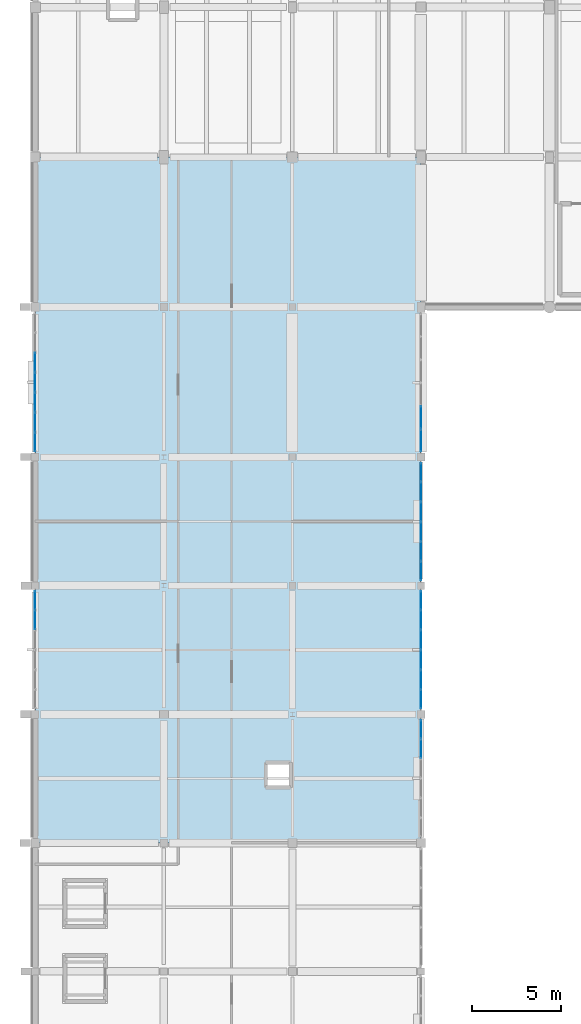
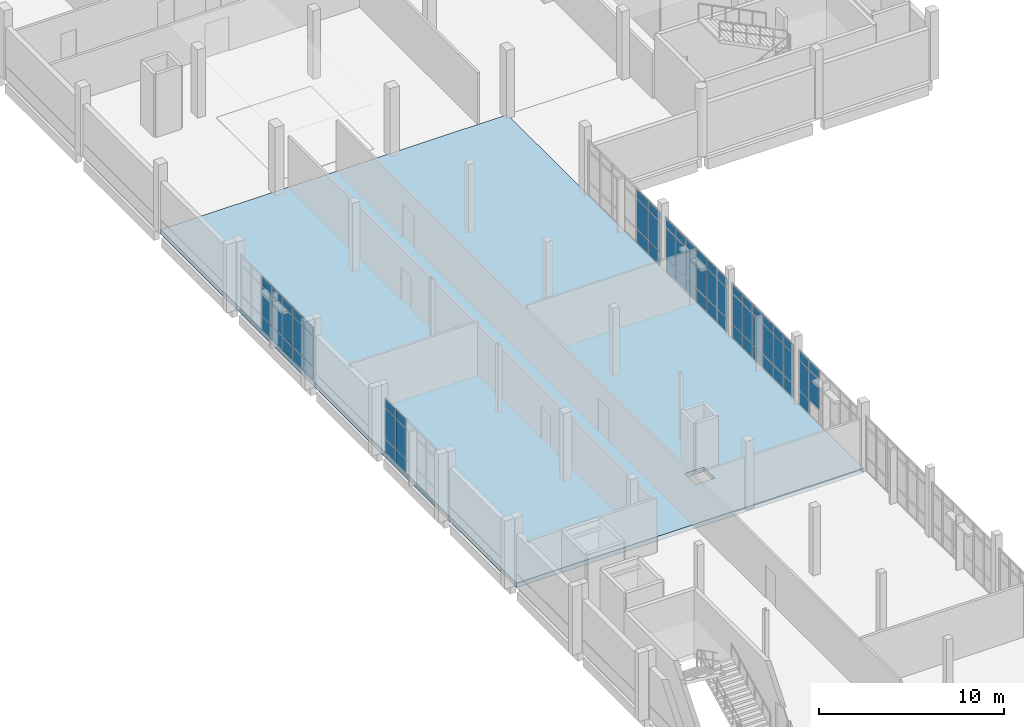
# One storey, part 47 of 62: 68 plates, 1 slab, 6 elements without a shape of their own.
"""IFC4 building model written with IfcOpenShell, lengths in metres."""

from ifc_helpers import new_model, si_unit, direction, frame, origin, origin_2d, place, context, subcontext, project, spatial, polyline, rectangle, outline, extrude, material, layer, layer_set, type_object, element, aggregate, save


model = new_model("IFC4")

# Units and contexts
model_context = context("Model", 3, precision=1e-05, world=origin(), true_north=direction((0.0, 1.0)))
body_context = subcontext(model_context, "Body", "Model", "MODEL_VIEW")
ifc_project = project(units=[si_unit("LENGTHUNIT", "METRE"), si_unit("AREAUNIT", "SQUARE_METRE"), si_unit("VOLUMEUNIT", "CUBIC_METRE"), si_unit("PLANEANGLEUNIT", "RADIAN"), si_unit("MASSUNIT", "GRAM", prefix="KILO")], contexts=[model_context])

# Site, building, storey
site_placement = place(None, origin())
site = spatial("IfcSite", under=ifc_project, at=site_placement, CompositionType="ELEMENT")
building_placement = place(site_placement, origin())
building = spatial("IfcBuilding", under=site, at=building_placement, Name="Kalluvel Institute of Natural Sciences", CompositionType="ELEMENT")
storey_placement = place(building_placement, frame((0.0, 0.0, 27.89990234375)))
storey = spatial("IfcBuildingStorey", under=building, at=storey_placement, Name="L06", CompositionType="ELEMENT", Elevation=27.89990234375)

# Curtain wall, plates
ifc_material_1 = material(Name="Aluminium AW-6063 T6", Category="aluminium")
curtain_wall_type = type_object("IfcCurtainWallType", Name="CW-DRY-45", PredefinedType="USERDEFINED", material=ifc_material_1)
curtain_wall_1_placement = place(storey_placement, origin())
curtain_wall_1 = element("IfcCurtainWall", 1, at=curtain_wall_1_placement, inside=storey, type_object=curtain_wall_type, Name="L06 Gothic lancet curtain wall CWA-L06-X140-Y719", ObjectType="UNITISED LANCET FACADE", PredefinedType="USERDEFINED")
ifc_material_2 = material(Name="Solar-Control Low-E Laminated Glass", Category="glass")
ifc_layer_1 = layer(ifc_material_2, 0.028076171875)
ifc_layer_set_1 = layer_set([ifc_layer_1], Name="Solar-Control Low-E Laminated Glass")
plate_type = type_object("IfcPlateType", Name="CWP-DGU-28", PredefinedType="CURTAIN_PANEL", material=ifc_layer_set_1)
plate_1_placement = place(storey_placement, frame((14.0, 76.88134765625, 0.06005859375), z_axis=(0.0, 0.0, 1.0), x_axis=(0.0, 1.0, 0.0)))
plate_1 = element("IfcPlate", 2, at=plate_1_placement, type_object=plate_type, Name="CW-03 panel 5.1", PredefinedType="CURTAIN_PANEL", context=body_context, shape_type="SweptSolid", body=[
    extrude(rectangle(XDim=1.052490234375, YDim=0.028076171875, at=origin_2d()), origin(), (0.0, 0.0, 1.0), 0.860107421875),
])
plate_2_placement = place(storey_placement, frame((14.0, 76.88134765625, 0.980224609375), z_axis=(0.0, 0.0, 1.0), x_axis=(0.0, 1.0, 0.0)))
plate_2 = element("IfcPlate", 3, at=plate_2_placement, type_object=plate_type, Name="CW-03 panel 5.2", PredefinedType="CURTAIN_PANEL", context=body_context, shape_type="SweptSolid", body=[
    extrude(rectangle(XDim=1.052490234375, YDim=0.028076171875, at=origin_2d()), origin(), (0.0, 0.0, 1.0), 1.9599609375),
])
plate_3_placement = place(storey_placement, frame((14.0, 76.88134765625, 3.0), z_axis=(0.0, 0.0, 1.0), x_axis=(0.0, 1.0, 0.0)))
plate_3 = element("IfcPlate", 4, at=plate_3_placement, type_object=plate_type, Name="CW-03 panel 5.3", PredefinedType="CURTAIN_PANEL", context=body_context, shape_type="SweptSolid", body=[
    extrude(rectangle(XDim=1.052490234375, YDim=0.028076171875, at=origin_2d()), origin(), (0.0, 0.0, 1.0), 0.56005859375),
])
plate_4_placement = place(storey_placement, frame((14.0, 77.978759765625, 0.06005859375), z_axis=(0.0, 0.0, 1.0), x_axis=(0.0, 1.0, 0.0)))
plate_4 = element("IfcPlate", 5, at=plate_4_placement, type_object=plate_type, Name="CW-03 panel 6.1", PredefinedType="CURTAIN_PANEL", context=body_context, shape_type="SweptSolid", body=[
    extrude(rectangle(XDim=1.0224609375, YDim=0.028076171875, at=origin_2d()), origin(), (0.0, 0.0, 1.0), 0.860107421875),
])
plate_5_placement = place(storey_placement, frame((14.0, 77.978759765625, 0.980224609375), z_axis=(0.0, 0.0, 1.0), x_axis=(0.0, 1.0, 0.0)))
plate_5 = element("IfcPlate", 6, at=plate_5_placement, type_object=plate_type, Name="CW-03 panel 6.2", PredefinedType="CURTAIN_PANEL", context=body_context, shape_type="SweptSolid", body=[
    extrude(rectangle(XDim=1.0224609375, YDim=0.028076171875, at=origin_2d()), origin(), (0.0, 0.0, 1.0), 1.9599609375),
])
plate_6_placement = place(storey_placement, frame((14.0, 77.978759765625, 3.0), z_axis=(0.0, 0.0, 1.0), x_axis=(0.0, 1.0, 0.0)))
plate_6 = element("IfcPlate", 7, at=plate_6_placement, type_object=plate_type, Name="CW-03 panel 6.3", PredefinedType="CURTAIN_PANEL", context=body_context, shape_type="SweptSolid", body=[
    extrude(rectangle(XDim=1.0224609375, YDim=0.028076171875, at=origin_2d()), origin(), (0.0, 0.0, 1.0), 0.56005859375),
])
aggregate(curtain_wall_1, [plate_1, plate_2, plate_3, plate_4, plate_5, plate_6])

curtain_wall_2_placement = place(storey_placement, origin())
curtain_wall_2 = element("IfcCurtainWall", 8, at=curtain_wall_2_placement, inside=storey, type_object=curtain_wall_type, Name="L06 Gothic lancet curtain wall CWA-L06-X140-Y863", ObjectType="UNITISED LANCET FACADE", PredefinedType="USERDEFINED")
plate_7_placement = place(storey_placement, frame((14.0, 86.848876953125, 0.06005859375), z_axis=(0.0, 0.0, 1.0), x_axis=(0.0, 1.0, 0.0)))
plate_7 = element("IfcPlate", 9, at=plate_7_placement, type_object=plate_type, Name="CW-03 panel 1.1", PredefinedType="CURTAIN_PANEL", context=body_context, shape_type="SweptSolid", body=[
    extrude(rectangle(XDim=1.02783203125, YDim=0.028076171875, at=origin_2d()), origin(), (0.0, 0.0, 1.0), 0.860107421875),
])
plate_8_placement = place(storey_placement, frame((14.0, 86.848876953125, 0.980224609375), z_axis=(0.0, 0.0, 1.0), x_axis=(0.0, 1.0, 0.0)))
plate_8 = element("IfcPlate", 10, at=plate_8_placement, type_object=plate_type, Name="CW-03 panel 1.2", PredefinedType="CURTAIN_PANEL", context=body_context, shape_type="SweptSolid", body=[
    extrude(rectangle(XDim=1.02783203125, YDim=0.028076171875, at=origin_2d()), origin(), (0.0, 0.0, 1.0), 1.9599609375),
])
plate_9_placement = place(storey_placement, frame((14.0, 86.848876953125, 3.0), z_axis=(0.0, 0.0, 1.0), x_axis=(0.0, 1.0, 0.0)))
plate_9 = element("IfcPlate", 11, at=plate_9_placement, type_object=plate_type, Name="CW-03 panel 1.3", PredefinedType="CURTAIN_PANEL", context=body_context, shape_type="SweptSolid", body=[
    extrude(rectangle(XDim=1.02783203125, YDim=0.028076171875, at=origin_2d()), origin(), (0.0, 0.0, 1.0), 0.56005859375),
])
plate_10_placement = place(storey_placement, frame((14.0, 87.951904296875, 0.06005859375), z_axis=(0.0, 0.0, 1.0), x_axis=(0.0, 1.0, 0.0)))
plate_10 = element("IfcPlate", 12, at=plate_10_placement, type_object=plate_type, Name="CW-03 panel 2.1", PredefinedType="CURTAIN_PANEL", context=body_context, shape_type="SweptSolid", body=[
    extrude(rectangle(XDim=1.057861328125, YDim=0.028076171875, at=origin_2d()), origin(), (0.0, 0.0, 1.0), 0.860107421875),
])
plate_11_placement = place(storey_placement, frame((14.0, 87.951904296875, 0.980224609375), z_axis=(0.0, 0.0, 1.0), x_axis=(0.0, 1.0, 0.0)))
plate_11 = element("IfcPlate", 13, at=plate_11_placement, type_object=plate_type, Name="CW-03 panel 2.2", PredefinedType="CURTAIN_PANEL", context=body_context, shape_type="SweptSolid", body=[
    extrude(rectangle(XDim=1.057861328125, YDim=0.028076171875, at=origin_2d()), origin(), (0.0, 0.0, 1.0), 1.9599609375),
])
plate_12_placement = place(storey_placement, frame((14.0, 87.951904296875, 3.0), z_axis=(0.0, 0.0, 1.0), x_axis=(0.0, 1.0, 0.0)))
plate_12 = element("IfcPlate", 14, at=plate_12_placement, type_object=plate_type, Name="CW-03 panel 2.3", PredefinedType="CURTAIN_PANEL", context=body_context, shape_type="SweptSolid", body=[
    extrude(rectangle(XDim=1.057861328125, YDim=0.028076171875, at=origin_2d()), origin(), (0.0, 0.0, 1.0), 0.56005859375),
])
plate_13_placement = place(storey_placement, frame((14.0, 89.069580078125, 0.06005859375), z_axis=(0.0, 0.0, 1.0), x_axis=(0.0, 1.0, 0.0)))
plate_13 = element("IfcPlate", 15, at=plate_13_placement, type_object=plate_type, Name="CW-03 panel 3.1", PredefinedType="CURTAIN_PANEL", context=body_context, shape_type="SweptSolid", body=[
    extrude(rectangle(XDim=1.057861328125, YDim=0.028076171875, at=origin_2d()), origin(), (0.0, 0.0, 1.0), 0.860107421875),
])
plate_14_placement = place(storey_placement, frame((14.0, 89.069580078125, 0.980224609375), z_axis=(0.0, 0.0, 1.0), x_axis=(0.0, 1.0, 0.0)))
plate_14 = element("IfcPlate", 16, at=plate_14_placement, type_object=plate_type, Name="CW-03 panel 3.2", PredefinedType="CURTAIN_PANEL", context=body_context, shape_type="SweptSolid", body=[
    extrude(rectangle(XDim=1.057861328125, YDim=0.028076171875, at=origin_2d()), origin(), (0.0, 0.0, 1.0), 1.9599609375),
])
plate_15_placement = place(storey_placement, frame((14.0, 89.069580078125, 3.0), z_axis=(0.0, 0.0, 1.0), x_axis=(0.0, 1.0, 0.0)))
plate_15 = element("IfcPlate", 17, at=plate_15_placement, type_object=plate_type, Name="CW-03 panel 3.3", PredefinedType="CURTAIN_PANEL", context=body_context, shape_type="SweptSolid", body=[
    extrude(rectangle(XDim=1.057861328125, YDim=0.028076171875, at=origin_2d()), origin(), (0.0, 0.0, 1.0), 0.56005859375),
])
plate_16_placement = place(storey_placement, frame((14.0, 90.1875, 0.06005859375), z_axis=(0.0, 0.0, 1.0), x_axis=(0.0, 1.0, 0.0)))
plate_16 = element("IfcPlate", 18, at=plate_16_placement, type_object=plate_type, Name="CW-03 panel 4.1", PredefinedType="CURTAIN_PANEL", context=body_context, shape_type="SweptSolid", body=[
    extrude(rectangle(XDim=1.057861328125, YDim=0.028076171875, at=origin_2d()), origin(), (0.0, 0.0, 1.0), 0.860107421875),
])
plate_17_placement = place(storey_placement, frame((14.0, 90.1875, 0.980224609375), z_axis=(0.0, 0.0, 1.0), x_axis=(0.0, 1.0, 0.0)))
plate_17 = element("IfcPlate", 19, at=plate_17_placement, type_object=plate_type, Name="CW-03 panel 4.2", PredefinedType="CURTAIN_PANEL", context=body_context, shape_type="SweptSolid", body=[
    extrude(rectangle(XDim=1.057861328125, YDim=0.028076171875, at=origin_2d()), origin(), (0.0, 0.0, 1.0), 1.9599609375),
])
plate_18_placement = place(storey_placement, frame((14.0, 90.1875, 3.0), z_axis=(0.0, 0.0, 1.0), x_axis=(0.0, 1.0, 0.0)))
plate_18 = element("IfcPlate", 20, at=plate_18_placement, type_object=plate_type, Name="CW-03 panel 4.3", PredefinedType="CURTAIN_PANEL", context=body_context, shape_type="SweptSolid", body=[
    extrude(rectangle(XDim=1.057861328125, YDim=0.028076171875, at=origin_2d()), origin(), (0.0, 0.0, 1.0), 0.56005859375),
])
plate_19_placement = place(storey_placement, frame((14.0, 91.305419921875, 0.06005859375), z_axis=(0.0, 0.0, 1.0), x_axis=(0.0, 1.0, 0.0)))
plate_19 = element("IfcPlate", 21, at=plate_19_placement, type_object=plate_type, Name="CW-03 panel 5.1", PredefinedType="CURTAIN_PANEL", context=body_context, shape_type="SweptSolid", body=[
    extrude(rectangle(XDim=1.057861328125, YDim=0.028076171875, at=origin_2d()), origin(), (0.0, 0.0, 1.0), 0.860107421875),
])
plate_20_placement = place(storey_placement, frame((14.0, 91.305419921875, 0.980224609375), z_axis=(0.0, 0.0, 1.0), x_axis=(0.0, 1.0, 0.0)))
plate_20 = element("IfcPlate", 22, at=plate_20_placement, type_object=plate_type, Name="CW-03 panel 5.2", PredefinedType="CURTAIN_PANEL", context=body_context, shape_type="SweptSolid", body=[
    extrude(rectangle(XDim=1.057861328125, YDim=0.028076171875, at=origin_2d()), origin(), (0.0, 0.0, 1.0), 1.9599609375),
])
plate_21_placement = place(storey_placement, frame((14.0, 91.305419921875, 3.0), z_axis=(0.0, 0.0, 1.0), x_axis=(0.0, 1.0, 0.0)))
plate_21 = element("IfcPlate", 23, at=plate_21_placement, type_object=plate_type, Name="CW-03 panel 5.3", PredefinedType="CURTAIN_PANEL", context=body_context, shape_type="SweptSolid", body=[
    extrude(rectangle(XDim=1.057861328125, YDim=0.028076171875, at=origin_2d()), origin(), (0.0, 0.0, 1.0), 0.56005859375),
])
aggregate(curtain_wall_2, [plate_7, plate_8, plate_9, plate_10, plate_11, plate_12, plate_13, plate_14, plate_15, plate_16, plate_17, plate_18, plate_19, plate_20, plate_21])

curtain_wall_3_placement = place(storey_placement, origin())
curtain_wall_3 = element("IfcCurtainWall", 24, at=curtain_wall_3_placement, inside=storey, type_object=curtain_wall_type, Name="L06 Gothic lancet curtain wall CWA-L06-X356-Y647", ObjectType="UNITISED LANCET FACADE", PredefinedType="USERDEFINED")
plate_22_placement = place(storey_placement, frame((35.60009765625, 69.668701171875, 0.980224609375), z_axis=(0.0, 0.0, 1.0), x_axis=(0.0, 1.0, 0.0)))
plate_22 = element("IfcPlate", 25, at=plate_22_placement, type_object=plate_type, Name="CW-03 panel 5.2", PredefinedType="CURTAIN_PANEL", context=body_context, shape_type="SweptSolid", body=[
    extrude(rectangle(XDim=1.044189453125, YDim=0.028076171875, at=origin_2d()), origin(), (0.0, 0.0, 1.0), 1.9599609375),
])
plate_23_placement = place(storey_placement, frame((35.60009765625, 69.668701171875, 3.0), z_axis=(0.0, 0.0, 1.0), x_axis=(0.0, 1.0, 0.0)))
plate_23 = element("IfcPlate", 26, at=plate_23_placement, type_object=plate_type, Name="CW-03 panel 5.3", PredefinedType="CURTAIN_PANEL", context=body_context, shape_type="SweptSolid", body=[
    extrude(rectangle(XDim=1.044189453125, YDim=0.028076171875, at=origin_2d()), origin(), (0.0, 0.0, 1.0), 0.56005859375),
])
plate_24_placement = place(storey_placement, frame((35.60009765625, 70.7578125, 0.06005859375), z_axis=(0.0, 0.0, 1.0), x_axis=(0.0, 1.0, 0.0)))
plate_24 = element("IfcPlate", 27, at=plate_24_placement, type_object=plate_type, Name="CW-03 panel 6.1", PredefinedType="CURTAIN_PANEL", context=body_context, shape_type="SweptSolid", body=[
    extrude(rectangle(XDim=1.01416015625, YDim=0.028076171875, at=origin_2d()), origin(), (0.0, 0.0, 1.0), 0.860107421875),
])
plate_25_placement = place(storey_placement, frame((35.60009765625, 70.7578125, 0.980224609375), z_axis=(0.0, 0.0, 1.0), x_axis=(0.0, 1.0, 0.0)))
plate_25 = element("IfcPlate", 28, at=plate_25_placement, type_object=plate_type, Name="CW-03 panel 6.2", PredefinedType="CURTAIN_PANEL", context=body_context, shape_type="SweptSolid", body=[
    extrude(rectangle(XDim=1.01416015625, YDim=0.028076171875, at=origin_2d()), origin(), (0.0, 0.0, 1.0), 1.9599609375),
])
plate_26_placement = place(storey_placement, frame((35.60009765625, 70.7578125, 3.0), z_axis=(0.0, 0.0, 1.0), x_axis=(0.0, 1.0, 0.0)))
plate_26 = element("IfcPlate", 29, at=plate_26_placement, type_object=plate_type, Name="CW-03 panel 6.3", PredefinedType="CURTAIN_PANEL", context=body_context, shape_type="SweptSolid", body=[
    extrude(rectangle(XDim=1.01416015625, YDim=0.028076171875, at=origin_2d()), origin(), (0.0, 0.0, 1.0), 0.56005859375),
])
aggregate(curtain_wall_3, [plate_22, plate_23, plate_24, plate_25, plate_26])

curtain_wall_4_placement = place(storey_placement, origin())
curtain_wall_4 = element("IfcCurtainWall", 30, at=curtain_wall_4_placement, inside=storey, type_object=curtain_wall_type, Name="L06 Gothic lancet curtain wall CWA-L06-X356-Y719", ObjectType="UNITISED LANCET FACADE", PredefinedType="USERDEFINED")
plate_27_placement = place(storey_placement, frame((35.60009765625, 72.4462890625, 0.06005859375), z_axis=(0.0, 0.0, 1.0), x_axis=(0.0, 1.0, 0.0)))
plate_27 = element("IfcPlate", 31, at=plate_27_placement, type_object=plate_type, Name="CW-03 panel 1.1", PredefinedType="CURTAIN_PANEL", context=body_context, shape_type="SweptSolid", body=[
    extrude(rectangle(XDim=1.0224609375, YDim=0.028076171875, at=origin_2d()), origin(), (0.0, 0.0, 1.0), 0.860107421875),
])
plate_28_placement = place(storey_placement, frame((35.60009765625, 72.4462890625, 0.980224609375), z_axis=(0.0, 0.0, 1.0), x_axis=(0.0, 1.0, 0.0)))
plate_28 = element("IfcPlate", 32, at=plate_28_placement, type_object=plate_type, Name="CW-03 panel 1.2", PredefinedType="CURTAIN_PANEL", context=body_context, shape_type="SweptSolid", body=[
    extrude(rectangle(XDim=1.0224609375, YDim=0.028076171875, at=origin_2d()), origin(), (0.0, 0.0, 1.0), 1.9599609375),
])
plate_29_placement = place(storey_placement, frame((35.60009765625, 72.4462890625, 3.0), z_axis=(0.0, 0.0, 1.0), x_axis=(0.0, 1.0, 0.0)))
plate_29 = element("IfcPlate", 33, at=plate_29_placement, type_object=plate_type, Name="CW-03 panel 1.3", PredefinedType="CURTAIN_PANEL", context=body_context, shape_type="SweptSolid", body=[
    extrude(rectangle(XDim=1.0224609375, YDim=0.028076171875, at=origin_2d()), origin(), (0.0, 0.0, 1.0), 0.56005859375),
])
plate_30_placement = place(storey_placement, frame((35.60009765625, 73.543701171875, 0.06005859375), z_axis=(0.0, 0.0, 1.0), x_axis=(0.0, 1.0, 0.0)))
plate_30 = element("IfcPlate", 34, at=plate_30_placement, type_object=plate_type, Name="CW-03 panel 2.1", PredefinedType="CURTAIN_PANEL", context=body_context, shape_type="SweptSolid", body=[
    extrude(rectangle(XDim=1.052490234375, YDim=0.028076171875, at=origin_2d()), origin(), (0.0, 0.0, 1.0), 0.860107421875),
])
plate_31_placement = place(storey_placement, frame((35.60009765625, 73.543701171875, 0.980224609375), z_axis=(0.0, 0.0, 1.0), x_axis=(0.0, 1.0, 0.0)))
plate_31 = element("IfcPlate", 35, at=plate_31_placement, type_object=plate_type, Name="CW-03 panel 2.2", PredefinedType="CURTAIN_PANEL", context=body_context, shape_type="SweptSolid", body=[
    extrude(rectangle(XDim=1.052490234375, YDim=0.028076171875, at=origin_2d()), origin(), (0.0, 0.0, 1.0), 1.9599609375),
])
plate_32_placement = place(storey_placement, frame((35.60009765625, 73.543701171875, 3.0), z_axis=(0.0, 0.0, 1.0), x_axis=(0.0, 1.0, 0.0)))
plate_32 = element("IfcPlate", 36, at=plate_32_placement, type_object=plate_type, Name="CW-03 panel 2.3", PredefinedType="CURTAIN_PANEL", context=body_context, shape_type="SweptSolid", body=[
    extrude(rectangle(XDim=1.052490234375, YDim=0.028076171875, at=origin_2d()), origin(), (0.0, 0.0, 1.0), 0.56005859375),
])
plate_33_placement = place(storey_placement, frame((35.60009765625, 74.65625, 0.06005859375), z_axis=(0.0, 0.0, 1.0), x_axis=(0.0, 1.0, 0.0)))
plate_33 = element("IfcPlate", 37, at=plate_33_placement, type_object=plate_type, Name="CW-03 panel 3.1", PredefinedType="CURTAIN_PANEL", context=body_context, shape_type="SweptSolid", body=[
    extrude(rectangle(XDim=1.052490234375, YDim=0.028076171875, at=origin_2d()), origin(), (0.0, 0.0, 1.0), 0.860107421875),
])
plate_34_placement = place(storey_placement, frame((35.60009765625, 74.65625, 0.980224609375), z_axis=(0.0, 0.0, 1.0), x_axis=(0.0, 1.0, 0.0)))
plate_34 = element("IfcPlate", 38, at=plate_34_placement, type_object=plate_type, Name="CW-03 panel 3.2", PredefinedType="CURTAIN_PANEL", context=body_context, shape_type="SweptSolid", body=[
    extrude(rectangle(XDim=1.052490234375, YDim=0.028076171875, at=origin_2d()), origin(), (0.0, 0.0, 1.0), 1.9599609375),
])
plate_35_placement = place(storey_placement, frame((35.60009765625, 74.65625, 3.0), z_axis=(0.0, 0.0, 1.0), x_axis=(0.0, 1.0, 0.0)))
plate_35 = element("IfcPlate", 39, at=plate_35_placement, type_object=plate_type, Name="CW-03 panel 3.3", PredefinedType="CURTAIN_PANEL", context=body_context, shape_type="SweptSolid", body=[
    extrude(rectangle(XDim=1.052490234375, YDim=0.028076171875, at=origin_2d()), origin(), (0.0, 0.0, 1.0), 0.56005859375),
])
plate_36_placement = place(storey_placement, frame((35.60009765625, 75.768798828125, 0.06005859375), z_axis=(0.0, 0.0, 1.0), x_axis=(0.0, 1.0, 0.0)))
plate_36 = element("IfcPlate", 40, at=plate_36_placement, type_object=plate_type, Name="CW-03 panel 4.1", PredefinedType="CURTAIN_PANEL", context=body_context, shape_type="SweptSolid", body=[
    extrude(rectangle(XDim=1.052490234375, YDim=0.028076171875, at=origin_2d()), origin(), (0.0, 0.0, 1.0), 0.860107421875),
])
plate_37_placement = place(storey_placement, frame((35.60009765625, 75.768798828125, 0.980224609375), z_axis=(0.0, 0.0, 1.0), x_axis=(0.0, 1.0, 0.0)))
plate_37 = element("IfcPlate", 41, at=plate_37_placement, type_object=plate_type, Name="CW-03 panel 4.2", PredefinedType="CURTAIN_PANEL", context=body_context, shape_type="SweptSolid", body=[
    extrude(rectangle(XDim=1.052490234375, YDim=0.028076171875, at=origin_2d()), origin(), (0.0, 0.0, 1.0), 1.9599609375),
])
plate_38_placement = place(storey_placement, frame((35.60009765625, 75.768798828125, 3.0), z_axis=(0.0, 0.0, 1.0), x_axis=(0.0, 1.0, 0.0)))
plate_38 = element("IfcPlate", 42, at=plate_38_placement, type_object=plate_type, Name="CW-03 panel 4.3", PredefinedType="CURTAIN_PANEL", context=body_context, shape_type="SweptSolid", body=[
    extrude(rectangle(XDim=1.052490234375, YDim=0.028076171875, at=origin_2d()), origin(), (0.0, 0.0, 1.0), 0.56005859375),
])
plate_39_placement = place(storey_placement, frame((35.60009765625, 76.88134765625, 0.06005859375), z_axis=(0.0, 0.0, 1.0), x_axis=(0.0, 1.0, 0.0)))
plate_39 = element("IfcPlate", 43, at=plate_39_placement, type_object=plate_type, Name="CW-03 panel 5.1", PredefinedType="CURTAIN_PANEL", context=body_context, shape_type="SweptSolid", body=[
    extrude(rectangle(XDim=1.052490234375, YDim=0.028076171875, at=origin_2d()), origin(), (0.0, 0.0, 1.0), 0.860107421875),
])
plate_40_placement = place(storey_placement, frame((35.60009765625, 76.88134765625, 0.980224609375), z_axis=(0.0, 0.0, 1.0), x_axis=(0.0, 1.0, 0.0)))
plate_40 = element("IfcPlate", 44, at=plate_40_placement, type_object=plate_type, Name="CW-03 panel 5.2", PredefinedType="CURTAIN_PANEL", context=body_context, shape_type="SweptSolid", body=[
    extrude(rectangle(XDim=1.052490234375, YDim=0.028076171875, at=origin_2d()), origin(), (0.0, 0.0, 1.0), 1.9599609375),
])
plate_41_placement = place(storey_placement, frame((35.60009765625, 76.88134765625, 3.0), z_axis=(0.0, 0.0, 1.0), x_axis=(0.0, 1.0, 0.0)))
plate_41 = element("IfcPlate", 45, at=plate_41_placement, type_object=plate_type, Name="CW-03 panel 5.3", PredefinedType="CURTAIN_PANEL", context=body_context, shape_type="SweptSolid", body=[
    extrude(rectangle(XDim=1.052490234375, YDim=0.028076171875, at=origin_2d()), origin(), (0.0, 0.0, 1.0), 0.56005859375),
])
plate_42_placement = place(storey_placement, frame((35.60009765625, 77.978759765625, 0.06005859375), z_axis=(0.0, 0.0, 1.0), x_axis=(0.0, 1.0, 0.0)))
plate_42 = element("IfcPlate", 46, at=plate_42_placement, type_object=plate_type, Name="CW-03 panel 6.1", PredefinedType="CURTAIN_PANEL", context=body_context, shape_type="SweptSolid", body=[
    extrude(rectangle(XDim=1.0224609375, YDim=0.028076171875, at=origin_2d()), origin(), (0.0, 0.0, 1.0), 0.860107421875),
])
plate_43_placement = place(storey_placement, frame((35.60009765625, 77.978759765625, 0.980224609375), z_axis=(0.0, 0.0, 1.0), x_axis=(0.0, 1.0, 0.0)))
plate_43 = element("IfcPlate", 47, at=plate_43_placement, type_object=plate_type, Name="CW-03 panel 6.2", PredefinedType="CURTAIN_PANEL", context=body_context, shape_type="SweptSolid", body=[
    extrude(rectangle(XDim=1.0224609375, YDim=0.028076171875, at=origin_2d()), origin(), (0.0, 0.0, 1.0), 1.9599609375),
])
plate_44_placement = place(storey_placement, frame((35.60009765625, 77.978759765625, 3.0), z_axis=(0.0, 0.0, 1.0), x_axis=(0.0, 1.0, 0.0)))
plate_44 = element("IfcPlate", 48, at=plate_44_placement, type_object=plate_type, Name="CW-03 panel 6.3", PredefinedType="CURTAIN_PANEL", context=body_context, shape_type="SweptSolid", body=[
    extrude(rectangle(XDim=1.0224609375, YDim=0.028076171875, at=origin_2d()), origin(), (0.0, 0.0, 1.0), 0.56005859375),
])
aggregate(curtain_wall_4, [plate_27, plate_28, plate_29, plate_30, plate_31, plate_32, plate_33, plate_34, plate_35, plate_36, plate_37, plate_38, plate_39, plate_40, plate_41, plate_42, plate_43, plate_44])

curtain_wall_5_placement = place(storey_placement, origin())
curtain_wall_5 = element("IfcCurtainWall", 49, at=curtain_wall_5_placement, inside=storey, type_object=curtain_wall_type, Name="L06 Gothic lancet curtain wall CWA-L06-X356-Y790", ObjectType="UNITISED LANCET FACADE", PredefinedType="USERDEFINED")
plate_45_placement = place(storey_placement, frame((35.60009765625, 79.621337890625, 0.06005859375), z_axis=(0.0, 0.0, 1.0), x_axis=(0.0, 1.0, 0.0)))
plate_45 = element("IfcPlate", 50, at=plate_45_placement, type_object=plate_type, Name="CW-03 panel 1.1", PredefinedType="CURTAIN_PANEL", context=body_context, shape_type="SweptSolid", body=[
    extrude(rectangle(XDim=1.0224609375, YDim=0.028076171875, at=origin_2d()), origin(), (0.0, 0.0, 1.0), 0.860107421875),
])
plate_46_placement = place(storey_placement, frame((35.60009765625, 79.621337890625, 0.980224609375), z_axis=(0.0, 0.0, 1.0), x_axis=(0.0, 1.0, 0.0)))
plate_46 = element("IfcPlate", 51, at=plate_46_placement, type_object=plate_type, Name="CW-03 panel 1.2", PredefinedType="CURTAIN_PANEL", context=body_context, shape_type="SweptSolid", body=[
    extrude(rectangle(XDim=1.0224609375, YDim=0.028076171875, at=origin_2d()), origin(), (0.0, 0.0, 1.0), 1.9599609375),
])
plate_47_placement = place(storey_placement, frame((35.60009765625, 79.621337890625, 3.0), z_axis=(0.0, 0.0, 1.0), x_axis=(0.0, 1.0, 0.0)))
plate_47 = element("IfcPlate", 52, at=plate_47_placement, type_object=plate_type, Name="CW-03 panel 1.3", PredefinedType="CURTAIN_PANEL", context=body_context, shape_type="SweptSolid", body=[
    extrude(rectangle(XDim=1.0224609375, YDim=0.028076171875, at=origin_2d()), origin(), (0.0, 0.0, 1.0), 0.56005859375),
])
plate_48_placement = place(storey_placement, frame((35.60009765625, 80.71875, 0.06005859375), z_axis=(0.0, 0.0, 1.0), x_axis=(0.0, 1.0, 0.0)))
plate_48 = element("IfcPlate", 53, at=plate_48_placement, type_object=plate_type, Name="CW-03 panel 2.1", PredefinedType="CURTAIN_PANEL", context=body_context, shape_type="SweptSolid", body=[
    extrude(rectangle(XDim=1.052490234375, YDim=0.028076171875, at=origin_2d()), origin(), (0.0, 0.0, 1.0), 0.860107421875),
])
plate_49_placement = place(storey_placement, frame((35.60009765625, 80.71875, 0.980224609375), z_axis=(0.0, 0.0, 1.0), x_axis=(0.0, 1.0, 0.0)))
plate_49 = element("IfcPlate", 54, at=plate_49_placement, type_object=plate_type, Name="CW-03 panel 2.2", PredefinedType="CURTAIN_PANEL", context=body_context, shape_type="SweptSolid", body=[
    extrude(rectangle(XDim=1.052490234375, YDim=0.028076171875, at=origin_2d()), origin(), (0.0, 0.0, 1.0), 1.9599609375),
])
plate_50_placement = place(storey_placement, frame((35.60009765625, 80.71875, 3.0), z_axis=(0.0, 0.0, 1.0), x_axis=(0.0, 1.0, 0.0)))
plate_50 = element("IfcPlate", 55, at=plate_50_placement, type_object=plate_type, Name="CW-03 panel 2.3", PredefinedType="CURTAIN_PANEL", context=body_context, shape_type="SweptSolid", body=[
    extrude(rectangle(XDim=1.052490234375, YDim=0.028076171875, at=origin_2d()), origin(), (0.0, 0.0, 1.0), 0.56005859375),
])
plate_51_placement = place(storey_placement, frame((35.60009765625, 81.831298828125, 0.06005859375), z_axis=(0.0, 0.0, 1.0), x_axis=(0.0, 1.0, 0.0)))
plate_51 = element("IfcPlate", 56, at=plate_51_placement, type_object=plate_type, Name="CW-03 panel 3.1", PredefinedType="CURTAIN_PANEL", context=body_context, shape_type="SweptSolid", body=[
    extrude(rectangle(XDim=1.052490234375, YDim=0.028076171875, at=origin_2d()), origin(), (0.0, 0.0, 1.0), 0.860107421875),
])
plate_52_placement = place(storey_placement, frame((35.60009765625, 81.831298828125, 0.980224609375), z_axis=(0.0, 0.0, 1.0), x_axis=(0.0, 1.0, 0.0)))
plate_52 = element("IfcPlate", 57, at=plate_52_placement, type_object=plate_type, Name="CW-03 panel 3.2", PredefinedType="CURTAIN_PANEL", context=body_context, shape_type="SweptSolid", body=[
    extrude(rectangle(XDim=1.052490234375, YDim=0.028076171875, at=origin_2d()), origin(), (0.0, 0.0, 1.0), 1.9599609375),
])
plate_53_placement = place(storey_placement, frame((35.60009765625, 81.831298828125, 3.0), z_axis=(0.0, 0.0, 1.0), x_axis=(0.0, 1.0, 0.0)))
plate_53 = element("IfcPlate", 58, at=plate_53_placement, type_object=plate_type, Name="CW-03 panel 3.3", PredefinedType="CURTAIN_PANEL", context=body_context, shape_type="SweptSolid", body=[
    extrude(rectangle(XDim=1.052490234375, YDim=0.028076171875, at=origin_2d()), origin(), (0.0, 0.0, 1.0), 0.56005859375),
])
plate_54_placement = place(storey_placement, frame((35.60009765625, 82.94384765625, 0.06005859375), z_axis=(0.0, 0.0, 1.0), x_axis=(0.0, 1.0, 0.0)))
plate_54 = element("IfcPlate", 59, at=plate_54_placement, type_object=plate_type, Name="CW-03 panel 4.1", PredefinedType="CURTAIN_PANEL", context=body_context, shape_type="SweptSolid", body=[
    extrude(rectangle(XDim=1.052490234375, YDim=0.028076171875, at=origin_2d()), origin(), (0.0, 0.0, 1.0), 0.860107421875),
])
plate_55_placement = place(storey_placement, frame((35.60009765625, 82.94384765625, 0.980224609375), z_axis=(0.0, 0.0, 1.0), x_axis=(0.0, 1.0, 0.0)))
plate_55 = element("IfcPlate", 60, at=plate_55_placement, type_object=plate_type, Name="CW-03 panel 4.2", PredefinedType="CURTAIN_PANEL", context=body_context, shape_type="SweptSolid", body=[
    extrude(rectangle(XDim=1.052490234375, YDim=0.028076171875, at=origin_2d()), origin(), (0.0, 0.0, 1.0), 1.9599609375),
])
plate_56_placement = place(storey_placement, frame((35.60009765625, 82.94384765625, 3.0), z_axis=(0.0, 0.0, 1.0), x_axis=(0.0, 1.0, 0.0)))
plate_56 = element("IfcPlate", 61, at=plate_56_placement, type_object=plate_type, Name="CW-03 panel 4.3", PredefinedType="CURTAIN_PANEL", context=body_context, shape_type="SweptSolid", body=[
    extrude(rectangle(XDim=1.052490234375, YDim=0.028076171875, at=origin_2d()), origin(), (0.0, 0.0, 1.0), 0.56005859375),
])
plate_57_placement = place(storey_placement, frame((35.60009765625, 84.05615234375, 0.06005859375), z_axis=(0.0, 0.0, 1.0), x_axis=(0.0, 1.0, 0.0)))
plate_57 = element("IfcPlate", 62, at=plate_57_placement, type_object=plate_type, Name="CW-03 panel 5.1", PredefinedType="CURTAIN_PANEL", context=body_context, shape_type="SweptSolid", body=[
    extrude(rectangle(XDim=1.052490234375, YDim=0.028076171875, at=origin_2d()), origin(), (0.0, 0.0, 1.0), 0.860107421875),
])
plate_58_placement = place(storey_placement, frame((35.60009765625, 84.05615234375, 0.980224609375), z_axis=(0.0, 0.0, 1.0), x_axis=(0.0, 1.0, 0.0)))
plate_58 = element("IfcPlate", 63, at=plate_58_placement, type_object=plate_type, Name="CW-03 panel 5.2", PredefinedType="CURTAIN_PANEL", context=body_context, shape_type="SweptSolid", body=[
    extrude(rectangle(XDim=1.052490234375, YDim=0.028076171875, at=origin_2d()), origin(), (0.0, 0.0, 1.0), 1.9599609375),
])
plate_59_placement = place(storey_placement, frame((35.60009765625, 84.05615234375, 3.0), z_axis=(0.0, 0.0, 1.0), x_axis=(0.0, 1.0, 0.0)))
plate_59 = element("IfcPlate", 64, at=plate_59_placement, type_object=plate_type, Name="CW-03 panel 5.3", PredefinedType="CURTAIN_PANEL", context=body_context, shape_type="SweptSolid", body=[
    extrude(rectangle(XDim=1.052490234375, YDim=0.028076171875, at=origin_2d()), origin(), (0.0, 0.0, 1.0), 0.56005859375),
])
plate_60_placement = place(storey_placement, frame((35.60009765625, 85.15380859375, 0.06005859375), z_axis=(0.0, 0.0, 1.0), x_axis=(0.0, 1.0, 0.0)))
plate_60 = element("IfcPlate", 65, at=plate_60_placement, type_object=plate_type, Name="CW-03 panel 6.1", PredefinedType="CURTAIN_PANEL", context=body_context, shape_type="SweptSolid", body=[
    extrude(rectangle(XDim=1.0224609375, YDim=0.028076171875, at=origin_2d()), origin(), (0.0, 0.0, 1.0), 0.860107421875),
])
plate_61_placement = place(storey_placement, frame((35.60009765625, 85.15380859375, 0.980224609375), z_axis=(0.0, 0.0, 1.0), x_axis=(0.0, 1.0, 0.0)))
plate_61 = element("IfcPlate", 66, at=plate_61_placement, type_object=plate_type, Name="CW-03 panel 6.2", PredefinedType="CURTAIN_PANEL", context=body_context, shape_type="SweptSolid", body=[
    extrude(rectangle(XDim=1.0224609375, YDim=0.028076171875, at=origin_2d()), origin(), (0.0, 0.0, 1.0), 1.9599609375),
])
plate_62_placement = place(storey_placement, frame((35.60009765625, 85.15380859375, 3.0), z_axis=(0.0, 0.0, 1.0), x_axis=(0.0, 1.0, 0.0)))
plate_62 = element("IfcPlate", 67, at=plate_62_placement, type_object=plate_type, Name="CW-03 panel 6.3", PredefinedType="CURTAIN_PANEL", context=body_context, shape_type="SweptSolid", body=[
    extrude(rectangle(XDim=1.0224609375, YDim=0.028076171875, at=origin_2d()), origin(), (0.0, 0.0, 1.0), 0.56005859375),
])
aggregate(curtain_wall_5, [plate_45, plate_46, plate_47, plate_48, plate_49, plate_50, plate_51, plate_52, plate_53, plate_54, plate_55, plate_56, plate_57, plate_58, plate_59, plate_60, plate_61, plate_62])

curtain_wall_6_placement = place(storey_placement, origin())
curtain_wall_6 = element("IfcCurtainWall", 68, at=curtain_wall_6_placement, inside=storey, type_object=curtain_wall_type, Name="L06 Gothic lancet curtain wall CWA-L06-X356-Y863", ObjectType="UNITISED LANCET FACADE", PredefinedType="USERDEFINED")
plate_63_placement = place(storey_placement, frame((35.60009765625, 86.93798828125, 0.06005859375), z_axis=(0.0, 0.0, 1.0), x_axis=(0.0, 1.0, 0.0)))
plate_63 = element("IfcPlate", 69, at=plate_63_placement, type_object=plate_type, Name="CW-03 panel 1.1", PredefinedType="CURTAIN_PANEL", context=body_context, shape_type="SweptSolid", body=[
    extrude(rectangle(XDim=1.205810546875, YDim=0.028076171875, at=origin_2d()), origin(), (0.0, 0.0, 1.0), 0.860107421875),
])
plate_64_placement = place(storey_placement, frame((35.60009765625, 86.93798828125, 0.980224609375), z_axis=(0.0, 0.0, 1.0), x_axis=(0.0, 1.0, 0.0)))
plate_64 = element("IfcPlate", 70, at=plate_64_placement, type_object=plate_type, Name="CW-03 panel 1.2", PredefinedType="CURTAIN_PANEL", context=body_context, shape_type="SweptSolid", body=[
    extrude(rectangle(XDim=1.205810546875, YDim=0.028076171875, at=origin_2d()), origin(), (0.0, 0.0, 1.0), 1.9599609375),
])
plate_65_placement = place(storey_placement, frame((35.60009765625, 86.93798828125, 3.0), z_axis=(0.0, 0.0, 1.0), x_axis=(0.0, 1.0, 0.0)))
plate_65 = element("IfcPlate", 71, at=plate_65_placement, type_object=plate_type, Name="CW-03 panel 1.3", PredefinedType="CURTAIN_PANEL", context=body_context, shape_type="SweptSolid", body=[
    extrude(rectangle(XDim=1.205810546875, YDim=0.028076171875, at=origin_2d()), origin(), (0.0, 0.0, 1.0), 0.56005859375),
])
plate_66_placement = place(storey_placement, frame((35.60009765625, 88.21875, 0.06005859375), z_axis=(0.0, 0.0, 1.0), x_axis=(0.0, 1.0, 0.0)))
plate_66 = element("IfcPlate", 72, at=plate_66_placement, type_object=plate_type, Name="CW-03 panel 2.1", PredefinedType="CURTAIN_PANEL", context=body_context, shape_type="SweptSolid", body=[
    extrude(rectangle(XDim=1.23583984375, YDim=0.028076171875, at=origin_2d()), origin(), (0.0, 0.0, 1.0), 0.860107421875),
])
plate_67_placement = place(storey_placement, frame((35.60009765625, 88.21875, 0.980224609375), z_axis=(0.0, 0.0, 1.0), x_axis=(0.0, 1.0, 0.0)))
plate_67 = element("IfcPlate", 73, at=plate_67_placement, type_object=plate_type, Name="CW-03 panel 2.2", PredefinedType="CURTAIN_PANEL", context=body_context, shape_type="SweptSolid", body=[
    extrude(rectangle(XDim=1.23583984375, YDim=0.028076171875, at=origin_2d()), origin(), (0.0, 0.0, 1.0), 1.9599609375),
])
plate_68_placement = place(storey_placement, frame((35.60009765625, 88.21875, 3.0), z_axis=(0.0, 0.0, 1.0), x_axis=(0.0, 1.0, 0.0)))
plate_68 = element("IfcPlate", 74, at=plate_68_placement, type_object=plate_type, Name="CW-03 panel 2.3", PredefinedType="CURTAIN_PANEL", context=body_context, shape_type="SweptSolid", body=[
    extrude(rectangle(XDim=1.23583984375, YDim=0.028076171875, at=origin_2d()), origin(), (0.0, 0.0, 1.0), 0.56005859375),
])
aggregate(curtain_wall_6, [plate_63, plate_64, plate_65, plate_66, plate_67, plate_68])

# Slab
ifc_material_3 = material(Name="Concrete M40", Category="concrete")
ifc_layer_2 = layer(ifc_material_3, 0.300048828125)
ifc_layer_set_2 = layer_set([ifc_layer_2], Name="Concrete M40")
slab_type = type_object("IfcSlabType", Name="SLB-DRY-300", PredefinedType="FLOOR", material=ifc_layer_set_2)
slab_placement = place(storey_placement, frame((0.0, 0.0, -0.2998046875)))
element("IfcSlab", 75, at=slab_placement, inside=storey, type_object=slab_type, Name="L06 Dry Laboratory Floor Slab N", PredefinedType="FLOOR", context=body_context, shape_type="SweptSolid", body=[
    extrude(outline(polyline([(14.0, 64.39990234375), (35.60009765625, 64.39990234375), (35.60009765625, 102.800048828125), (14.0, 102.800048828125), (14.0, 64.39990234375)]), holes=[polyline([(27.0, 67.60009765625), (27.0, 68.800048828125), (28.199951171875, 68.800048828125), (28.199951171875, 67.60009765625), (27.0, 67.60009765625)])]), origin(), (0.0, 0.0, 1.0), 0.2998046875),
])

save(model, "model.ifc")
